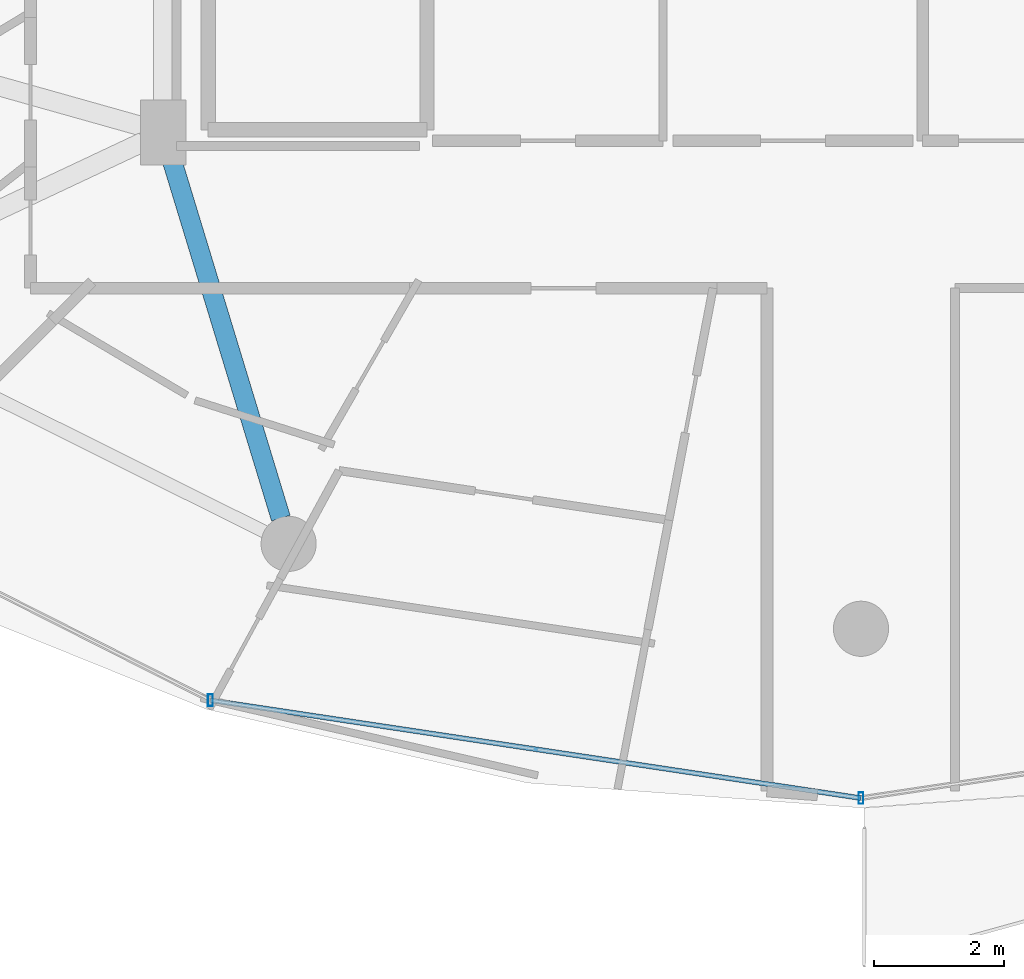
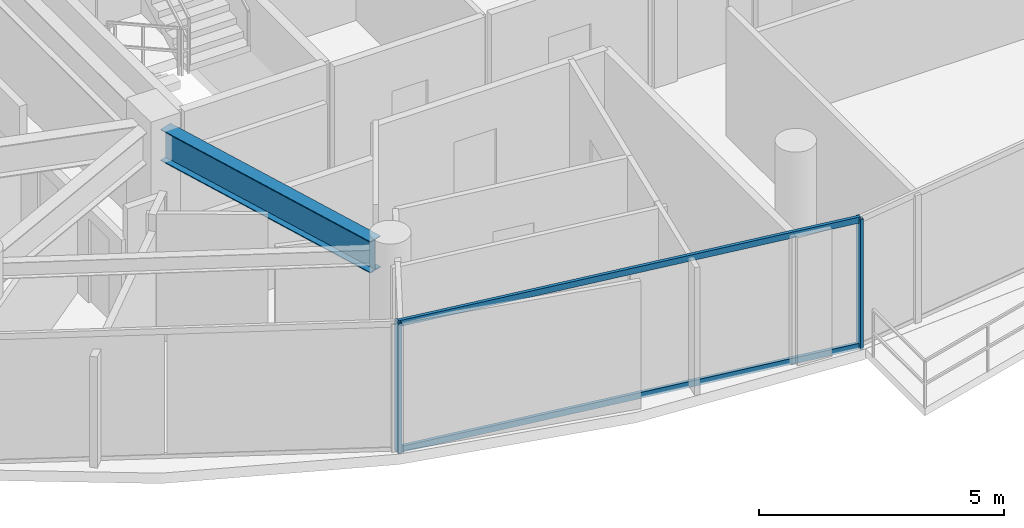
# One storey, part 4 of 25: 4 members, 1 beam, 1 element without a shape of its own.
"""IFC4 building model written with IfcOpenShell, lengths in metres."""

from ifc_helpers import new_model, si_unit, direction, frame, origin, origin_2d, place, context, subcontext, project, spatial, hollow_rectangle, i_section, extrude, material, material_profile, profile_set, type_object, element, aggregate, save


model = new_model("IFC4")

# Units and contexts
model_context = context("Model", 3, precision=1e-05, world=origin(), true_north=direction((0.0, 1.0)))
body_context = subcontext(model_context, "Body", "Model", "MODEL_VIEW")
ifc_project = project(units=[si_unit("LENGTHUNIT", "METRE"), si_unit("AREAUNIT", "SQUARE_METRE"), si_unit("VOLUMEUNIT", "CUBIC_METRE"), si_unit("PLANEANGLEUNIT", "RADIAN"), si_unit("MASSUNIT", "GRAM", prefix="KILO")], contexts=[model_context])

# Site, building, storey
site_placement = place(None, origin())
site = spatial("IfcSite", under=ifc_project, at=site_placement, CompositionType="ELEMENT")
building_placement = place(site_placement, origin())
building = spatial("IfcBuilding", under=site, at=building_placement, Name="Vorneva Point Tower", CompositionType="ELEMENT")
storey_placement = place(building_placement, frame((0.0, 0.0, 276.85009765625)))
storey = spatial("IfcBuildingStorey", under=building, at=storey_placement, Name="L75", CompositionType="ELEMENT", Elevation=276.85009765625)

# Beam
ifc_material_1 = material(Name="Steel S355", Category="steel")
ifc_material_profile_1 = material_profile(ifc_material_1, i_section(OverallWidth=0.300048828125, OverallDepth=0.7880859375, WebThickness=0.014404296875, FlangeThickness=0.02197265625, at=origin_2d()), Name="80Sh1")
ifc_profile_set_1 = profile_set([ifc_material_profile_1], Name="Steel S355")
beam_type = type_object("IfcBeamType", Name="BM-GRD-80Sh1", PredefinedType="USERDEFINED", material=ifc_profile_set_1)
beam_placement = place(storey_placement, frame((29.058837890625, 10.50439453125, 2.7958984375), z_axis=(-0.291032624293, 0.956713129207, 0.0), x_axis=(-0.956713129207, -0.291032624293, 0.0)))
element("IfcBeam", 1, at=beam_placement, inside=storey, type_object=beam_type, Name="L75 Radial Primary Girder 12", ObjectType="GIRDER", PredefinedType="USERDEFINED", context=body_context, shape_type="SweptSolid", body=[
    extrude(i_section(OverallWidth=0.300048828125, OverallDepth=0.7880859375, WebThickness=0.014404296875, FlangeThickness=0.02197265625, at=origin_2d()), origin(), (0.0, 0.0, 1.0), 5.874755859375),
])

# Curtain wall, members
ifc_material_2 = material(Name="Pale anodised aluminium", Category="aluminium")
curtain_wall_type = type_object("IfcCurtainWallType", Name="CW-RES-SYS", PredefinedType="NOTDEFINED", material=ifc_material_2)
curtain_wall_placement = place(storey_placement, origin())
curtain_wall = element("IfcCurtainWall", 2, at=curtain_wall_placement, inside=storey, type_object=curtain_wall_type, Name="L75 Unitised Curtain Wall CW-L75-R04", PredefinedType="NOTDEFINED")
ifc_material_profile_2 = material_profile(ifc_material_2, hollow_rectangle(XDim=0.074951171875, YDim=0.179931640625, WallThickness=0.00390625, at=origin_2d()), Name="AL-MUL 180x75x4")
ifc_profile_set_2 = profile_set([ifc_material_profile_2], Name="Pale anodised aluminium")
member_type_1 = type_object("IfcMemberType", Name="CW-MUL-180", PredefinedType="MULLION", material=ifc_profile_set_2)
member_1_placement = place(storey_placement, frame((27.9736328125, 7.697998046875, -0.0400390625), z_axis=(0.0, 0.0, 1.0), x_axis=(1.0, 0.0, 0.0)))
member_1 = element("IfcMember", 3, at=member_1_placement, type_object=member_type_1, Name="CW-L75-R04 Mullion 02", PredefinedType="MULLION", context=body_context, shape_type="SweptSolid", body=[
    extrude(hollow_rectangle(XDim=0.074951171875, YDim=0.179931640625, WallThickness=0.00390625, at=origin_2d()), origin(), (0.0, 0.0, 1.0), 3.260009765625),
])
member_2_placement = place(storey_placement, frame((38.0, 6.18994140625, -0.0400390625), z_axis=(0.0, 0.0, 1.0), x_axis=(1.0, 0.0, 0.0)))
member_2 = element("IfcMember", 4, at=member_2_placement, type_object=member_type_1, Name="CW-L75-R04 Mullion 03", PredefinedType="MULLION", context=body_context, shape_type="SweptSolid", body=[
    extrude(hollow_rectangle(XDim=0.074951171875, YDim=0.179931640625, WallThickness=0.00390625, at=origin_2d()), origin(), (0.0, 0.0, 1.0), 3.260009765625),
])
ifc_material_profile_3 = material_profile(ifc_material_2, hollow_rectangle(XDim=0.074951171875, YDim=0.14990234375, WallThickness=0.00390625, at=origin_2d()), Name="AL-TRN 150x75x4")
ifc_profile_set_3 = profile_set([ifc_material_profile_3], Name="Pale anodised aluminium")
member_type_2 = type_object("IfcMemberType", Name="CW-TRN-150", PredefinedType="USERDEFINED", material=ifc_profile_set_3)
member_3_placement = place(storey_placement, frame((27.9736328125, 7.697998046875, 0.02001953125), z_axis=(0.988876929856, -0.148736066907, 0.0), x_axis=(0.148736066907, 0.988876929856, 0.0)))
member_3 = element("IfcMember", 5, at=member_3_placement, type_object=member_type_2, Name="CW-L75-R04 Transom 02.1", ObjectType="TRANSOM", PredefinedType="USERDEFINED", context=body_context, shape_type="SweptSolid", body=[
    extrude(hollow_rectangle(XDim=0.074951171875, YDim=0.14990234375, WallThickness=0.00390625, at=origin_2d()), origin(), (0.0, 0.0, 1.0), 10.13916015625),
])
member_4_placement = place(storey_placement, frame((27.9736328125, 7.697998046875, 3.169921875), z_axis=(0.988876929856, -0.148736066907, 0.0), x_axis=(0.148736066907, 0.988876929856, 0.0)))
member_4 = element("IfcMember", 6, at=member_4_placement, type_object=member_type_2, Name="CW-L75-R04 Transom 02.2", ObjectType="TRANSOM", PredefinedType="USERDEFINED", context=body_context, shape_type="SweptSolid", body=[
    extrude(hollow_rectangle(XDim=0.074951171875, YDim=0.14990234375, WallThickness=0.00390625, at=origin_2d()), origin(), (0.0, 0.0, 1.0), 10.13916015625),
])
aggregate(curtain_wall, [member_1, member_2, member_3, member_4])

save(model, "model.ifc")
